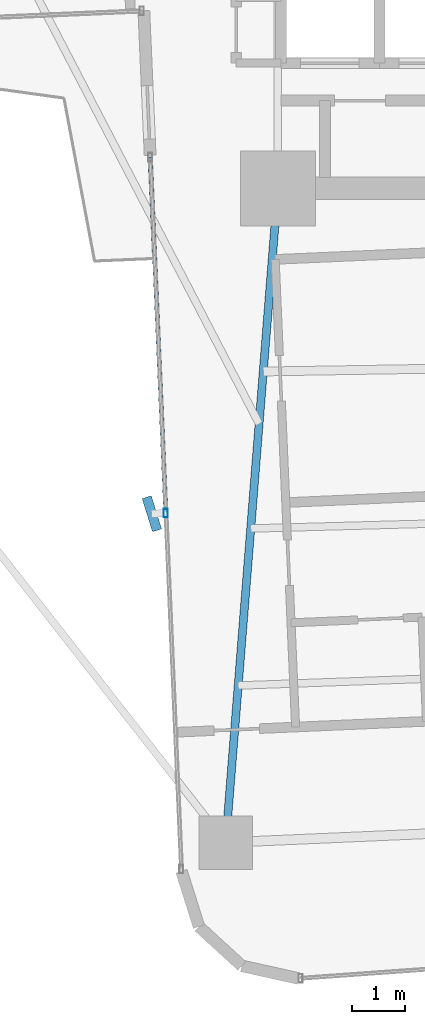
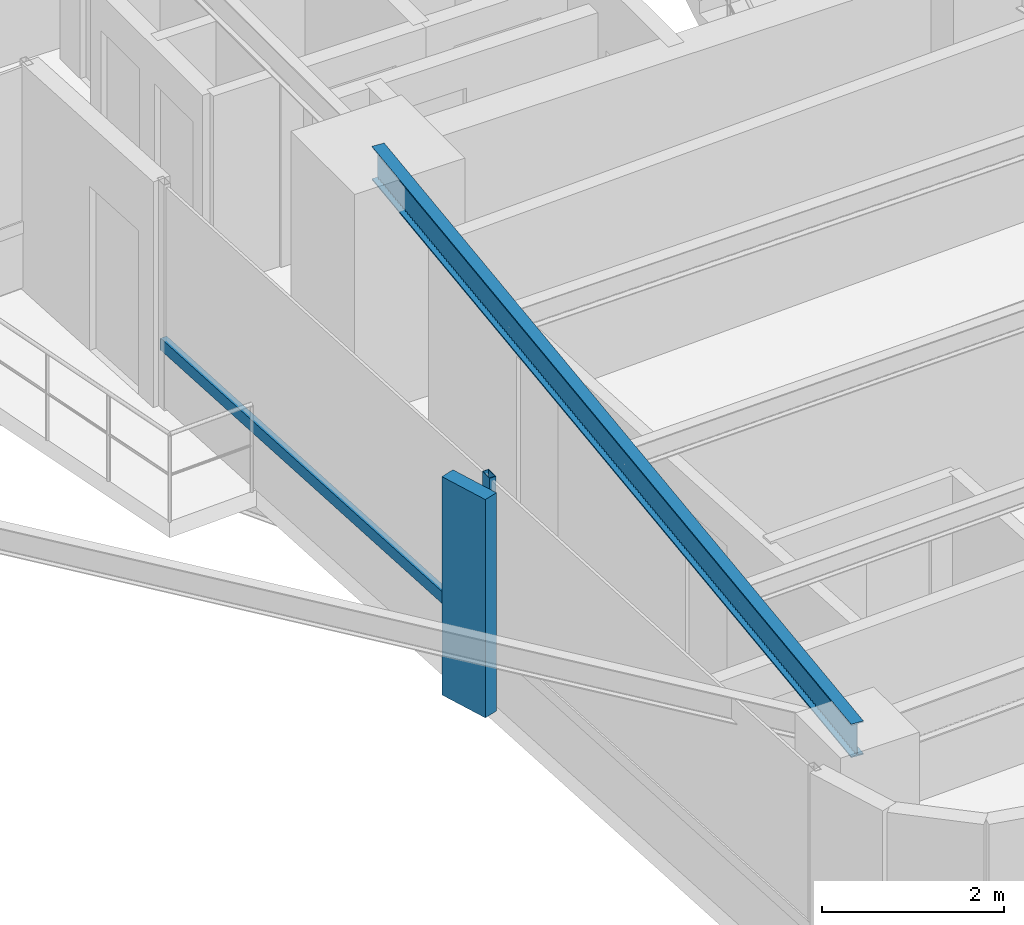
# One storey, part 4 of 26: 3 members, 1 beam, 1 element without a shape of its own.
"""IFC4 building model written with IfcOpenShell, lengths in metres."""

from ifc_helpers import new_model, si_unit, direction, frame, origin, origin_2d, place, context, subcontext, project, spatial, rectangle, hollow_rectangle, i_section, extrude, source, transform, mapped, material, material_profile, profile_set, type_object, element, aggregate, save


model = new_model("IFC4")

# Units and contexts
model_context = context("Model", 3, precision=1e-05, world=origin(), true_north=direction((0.0, 1.0)))
body_context = subcontext(model_context, "Body", "Model", "MODEL_VIEW")
ifc_project = project(units=[si_unit("LENGTHUNIT", "METRE"), si_unit("AREAUNIT", "SQUARE_METRE"), si_unit("VOLUMEUNIT", "CUBIC_METRE"), si_unit("PLANEANGLEUNIT", "RADIAN"), si_unit("MASSUNIT", "GRAM", prefix="KILO")], contexts=[model_context])

# Site, building, storey
site_placement = place(None, origin())
site = spatial("IfcSite", under=ifc_project, at=site_placement, CompositionType="ELEMENT")
building_placement = place(site_placement, origin())
building = spatial("IfcBuilding", under=site, at=building_placement, Name="Sahyath Konkavel Grand Hotel", CompositionType="ELEMENT")
storey_placement = place(building_placement, frame((0.0, 0.0, 134.89990234375)))
storey = spatial("IfcBuildingStorey", under=building, at=storey_placement, Name="L37", CompositionType="ELEMENT", Elevation=134.89990234375)

# Beam
ifc_material_1 = material(Name="Steel E350", Category="steel")
ifc_material_profile_1 = material_profile(ifc_material_1, i_section(OverallWidth=0.14990234375, OverallDepth=0.449951171875, WebThickness=0.009521484375, FlangeThickness=0.017333984375, FilletRadius=0.014892578125, at=origin_2d()), Name="ISMB 450")
ifc_profile_set_1 = profile_set([ifc_material_profile_1], Name="Steel E350")
beam_type = type_object("IfcBeamType", Name="BM-ISMB450", PredefinedType="BEAM", material=ifc_profile_set_1)
shared_shape_1 = source(origin(), body_context, "Body", "SweptSolid", [
    extrude(i_section(OverallWidth=0.14990234375, OverallDepth=0.449951171875, WebThickness=0.009521484375, FlangeThickness=0.017333984375, FilletRadius=0.014892578125, at=origin_2d()), origin(), (0.0, 0.0, 1.0), 12.2685546875),
])
beam_placement = place(storey_placement, frame((-3.800048828125, -10.199951171875, 2.80517578125), z_axis=(-0.079558563357, -0.996830193662, 0.0), x_axis=(0.996830193662, -0.079558563357, 0.0)))
element("IfcBeam", 1, at=beam_placement, inside=storey, type_object=beam_type, Name="L37 Cruciform Radial Girder SA", PredefinedType="BEAM", context=body_context, shape_type="MappedRepresentation", body=[
    mapped(shared_shape_1, transform((0.0, 0.0, 0.0), scale=1.0)),
])

# Curtain wall, members
ifc_material_2 = material(Name="Anodised Bronze Aluminium & Low-E Glazing", Category="aluminium")
curtain_wall_type = type_object("IfcCurtainWallType", Name="CW-ZONE2", PredefinedType="NOTDEFINED", material=ifc_material_2)
curtain_wall_placement = place(storey_placement, origin())
curtain_wall = element("IfcCurtainWall", 2, at=curtain_wall_placement, inside=storey, type_object=curtain_wall_type, Name="L37 Unitised Curtain Wall F24", PredefinedType="NOTDEFINED")
ifc_material_3 = material(Name="Anodised Bronze Aluminium", Category="aluminium")
ifc_material_profile_2 = material_profile(ifc_material_3, hollow_rectangle(XDim=0.080078125, YDim=0.159912109375, WallThickness=0.006103515625, at=origin_2d()), Name="RHS 160x80x6")
ifc_profile_set_2 = profile_set([ifc_material_profile_2], Name="Anodised Bronze Aluminium")
member_type_1 = type_object("IfcMemberType", Name="CW-MUL-160", PredefinedType="MULLION", material=ifc_profile_set_2)
shared_shape_2 = source(origin(), body_context, "Body", "SweptSolid", [
    extrude(hollow_rectangle(XDim=0.080078125, YDim=0.159912109375, WallThickness=0.006103515625, at=origin_2d()), origin(), (0.0, 0.0, 1.0), 3.030029296875),
])
member_1_placement = place(storey_placement, frame((-5.895751953125, -16.272705078125, 0.0), z_axis=(0.0, 0.0, 1.0), x_axis=(1.0, 0.0, 0.0)))
member_1 = element("IfcMember", 3, at=member_1_placement, type_object=member_type_1, Name="L37 Curtain Wall Mullion F24-1", PredefinedType="MULLION", context=body_context, shape_type="MappedRepresentation", body=[
    mapped(shared_shape_2, transform((0.0, 0.0, 0.0), scale=1.0)),
])
ifc_material_4 = material(Name="Warm Buff Sandstone Cladding on Concrete C50/60", Category="masonry")
ifc_material_profile_3 = material_profile(ifc_material_4, rectangle(XDim=0.179931640625, YDim=0.64990234375, at=origin_2d()), Name="FIN 180x650")
ifc_profile_set_3 = profile_set([ifc_material_profile_3], Name="Warm Buff Sandstone Cladding on Concrete C50/60")
member_type_2 = type_object("IfcMemberType", Name="FIN-SANDSTONE-650", PredefinedType="MULLION", material=ifc_profile_set_3)
shared_shape_3 = source(origin(), body_context, "Body", "SweptSolid", [
    extrude(rectangle(XDim=0.179931640625, YDim=0.64990234375, at=origin_2d()), origin(), (0.0, 0.0, 1.0), 2.929931640625),
])
member_2_placement = place(storey_placement, frame((-6.155517578125, -16.283935546875, 0.050048828125), z_axis=(0.0, 0.0, 1.0), x_axis=(0.954812686667, 0.297208232354, 0.0)))
member_2 = element("IfcMember", 4, at=member_2_placement, type_object=member_type_2, Name="L37 Sandstone Vertical Solar Fin FIN F24-1", PredefinedType="MULLION", context=body_context, shape_type="MappedRepresentation", body=[
    mapped(shared_shape_3, transform((0.0, 0.0, 0.0), scale=1.0)),
])
ifc_material_profile_4 = material_profile(ifc_material_3, hollow_rectangle(XDim=0.080078125, YDim=0.159912109375, WallThickness=0.006103515625, at=origin_2d()), Name="RHS 160x80x6")
ifc_profile_set_4 = profile_set([ifc_material_profile_4], Name="Anodised Bronze Aluminium")
member_type_3 = type_object("IfcMemberType", Name="CW-TRN-160", PredefinedType="USERDEFINED", material=ifc_profile_set_4)
shared_shape_4 = source(origin(), body_context, "Body", "SweptSolid", [
    extrude(hollow_rectangle(XDim=0.080078125, YDim=0.159912109375, WallThickness=0.006103515625, at=origin_2d()), origin(), (0.0, 0.0, 1.0), 6.66015625),
])
member_3_placement = place(storey_placement, frame((-6.186279296875, -9.618896484375, 0.85009765625), z_axis=(0.043621753165, -0.999048118286, 0.0), x_axis=(0.999048118286, 0.043621753165, 0.0)))
member_3 = element("IfcMember", 5, at=member_3_placement, type_object=member_type_3, Name="L37 Curtain Wall Transom F24-0-spandrel", ObjectType="TRANSOM", PredefinedType="USERDEFINED", context=body_context, shape_type="MappedRepresentation", body=[
    mapped(shared_shape_4, transform((0.0, 0.0, 0.0), scale=1.0)),
])
aggregate(curtain_wall, [member_1, member_2, member_3])

save(model, "model.ifc")
